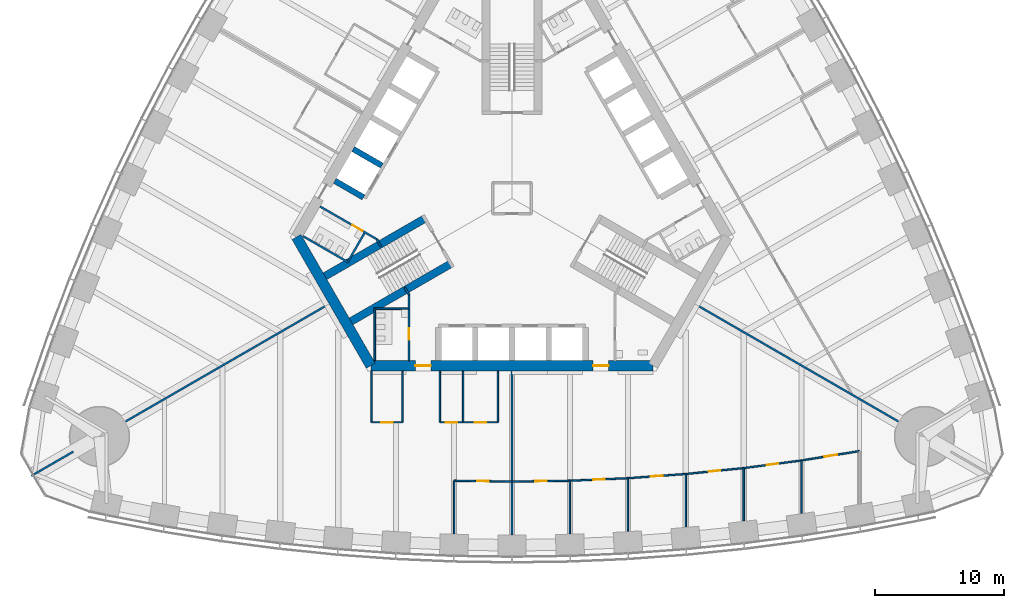
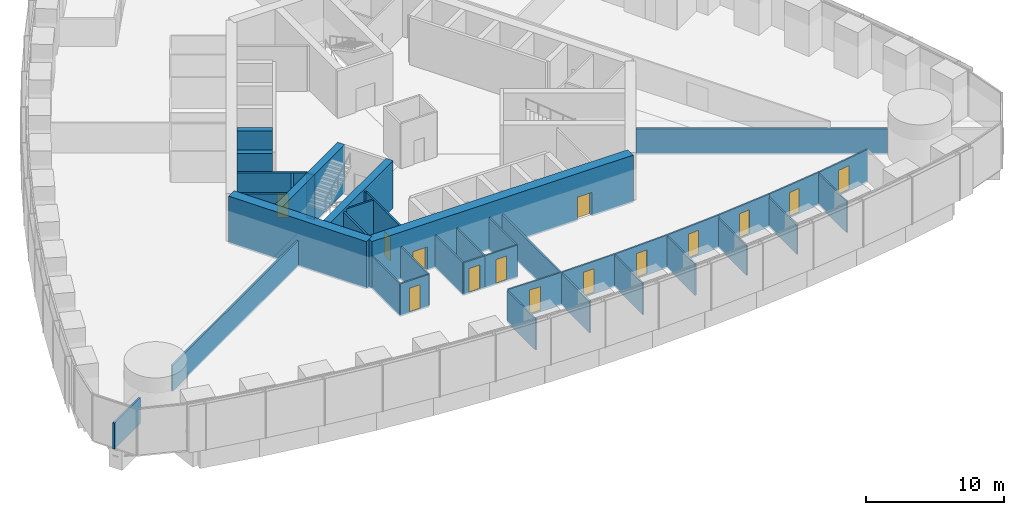
# One storey, part 10 of 18: 39 walls, 14 doors, 14 openings.
"""IFC4 building model written with IfcOpenShell, lengths in metres."""

from ifc_helpers import new_model, si_unit, direction, frame, frame_2d, origin, place, context, subcontext, project, spatial, rectangle, extrude, material, layer, layer_set, type_object, element, fill, save


model = new_model("IFC4")

# Units and contexts
model_context = context("Model", 3, precision=1e-05, world=origin(), true_north=direction((0.0, 1.0)))
body_context = subcontext(model_context, "Body", "Model", "MODEL_VIEW")
ifc_project = project(units=[si_unit("LENGTHUNIT", "METRE"), si_unit("AREAUNIT", "SQUARE_METRE"), si_unit("VOLUMEUNIT", "CUBIC_METRE"), si_unit("PLANEANGLEUNIT", "RADIAN"), si_unit("MASSUNIT", "GRAM", prefix="KILO")], contexts=[model_context])

# Site, building, storey
site_placement = place(None, origin())
site = spatial("IfcSite", under=ifc_project, at=site_placement, CompositionType="ELEMENT")
building_placement = place(site_placement, origin())
building = spatial("IfcBuilding", under=site, at=building_placement, Name="Trefoil Bronze Tower", CompositionType="ELEMENT")
storey_placement = place(building_placement, frame((0.0, 0.0, 66.89990234375)))
storey = spatial("IfcBuildingStorey", under=building, at=storey_placement, Name="L15", CompositionType="ELEMENT", Elevation=66.89990234375)

# Wall, openings, doors
ifc_material_1 = material(Name="Concrete B80", Category="concrete")
ifc_layer_1 = layer(ifc_material_1, 0.800048828125)
ifc_layer_set_1 = layer_set([ifc_layer_1], Name="Core wall 800")
wall_type_1 = type_object("IfcWallType", Name="Core wall 800", PredefinedType="SHEAR", material=ifc_layer_set_1)
wall_1_placement = place(storey_placement, frame((-10.9697265625, -13.0, 0.0), z_axis=(0.0, 0.0, 1.0), x_axis=(1.0, 0.0, 0.0)))
wall_1 = element("IfcWall", 1, at=wall_1_placement, inside=storey, type_object=wall_type_1, Name="Core long wall 1 L15", PredefinedType="SHEAR", context=body_context, shape_type="SweptSolid", body=[
    extrude(rectangle(XDim=21.939453125, YDim=0.800048828125, at=frame_2d((10.9697265625, 0.0))), origin(), (0.0, 0.0, 1.0), 4.2001953125),
])
opening_1_placement = place(wall_1_placement, frame((17.269775390625, 0.0, 0.0)))
opening_1 = element("IfcOpeningElement", 2, at=opening_1_placement, cuts=wall_1, Name="Opening D2", PredefinedType="OPENING", context=body_context, shape_type="SweptSolid", body=[
    extrude(rectangle(XDim=1.199951171875, YDim=2.10009765625, at=frame_2d((0.60009765625, 1.050048828125))), frame((0.0, 0.409912109375, 0.0), z_axis=(0.0, -1.0, 0.0), x_axis=(1.0, 0.0, 0.0)), (0.0, 0.0, 1.0), 0.820068359375),
])
opening_2_placement = place(wall_1_placement, frame((3.4697265625, 0.0, 0.0)))
opening_2 = element("IfcOpeningElement", 3, at=opening_2_placement, cuts=wall_1, Name="Opening D2", PredefinedType="OPENING", context=body_context, shape_type="SweptSolid", body=[
    extrude(rectangle(XDim=1.199951171875, YDim=2.10009765625, at=frame_2d((0.60009765625, 1.050048828125))), frame((0.0, 0.409912109375, 0.0), z_axis=(0.0, -1.0, 0.0), x_axis=(1.0, 0.0, 0.0)), (0.0, 0.0, 1.0), 0.820068359375),
])
ifc_material_2 = material(Name="Steel door", Category="steel")
door_type_1 = type_object("IfcDoorType", Name="Lobby door 1200", OperationType="SINGLE_SWING_RIGHT", PredefinedType="DOOR", material=ifc_material_2)
door_1_placement = place(opening_1_placement, origin())
door_1 = element("IfcDoor", 4, at=door_1_placement, inside=storey, type_object=door_type_1, Name="Lobby door F1+ L15", OperationType="SINGLE_SWING_RIGHT", OverallHeight=2.10009765625, OverallWidth=1.199951171875, PredefinedType="DOOR", context=body_context, shape_type="SweptSolid", body=[
    extrude(rectangle(XDim=1.199951171875, YDim=2.10009765625, at=frame_2d((0.60009765625, 1.050048828125))), frame((0.0, 0.02490234375, 0.0), z_axis=(0.0, -1.0, 0.0), x_axis=(1.0, 0.0, 0.0)), (0.0, 0.0, 1.0), 0.050048828125),
])
fill(opening_1, door_1)
door_2_placement = place(opening_2_placement, origin())
door_2 = element("IfcDoor", 5, at=door_2_placement, inside=storey, type_object=door_type_1, Name="Lobby door F1- L15", OperationType="SINGLE_SWING_LEFT", OverallHeight=2.10009765625, OverallWidth=1.199951171875, PredefinedType="DOOR", context=body_context, shape_type="SweptSolid", body=[
    extrude(rectangle(XDim=1.199951171875, YDim=2.10009765625, at=frame_2d((0.60009765625, 1.050048828125))), frame((0.0, 0.02490234375, 0.0), z_axis=(0.0, -1.0, 0.0), x_axis=(1.0, 0.0, 0.0)), (0.0, 0.0, 1.0), 0.050048828125),
])
fill(opening_2, door_2)

# Wall
wall_2_placement = place(storey_placement, frame((-16.7431640625, -3.0, 0.0), z_axis=(0.0, 0.0, 1.0), x_axis=(0.499995765644, -0.866027848477, 0.0)))
element("IfcWall", 6, at=wall_2_placement, inside=storey, type_object=wall_type_1, Name="Core short wall 3 L15", PredefinedType="SHEAR", context=body_context, shape_type="SweptSolid", body=[
    extrude(rectangle(XDim=11.546875, YDim=0.800048828125, at=frame_2d((5.7734375, 0.0))), origin(), (0.0, 0.0, 1.0), 4.2001953125),
])

# Wall, opening, door
ifc_material_3 = material(Name="Glazed partition", Category="glass")
ifc_layer_2 = layer(ifc_material_3, 0.1201171875)
ifc_layer_set_2 = layer_set([ifc_layer_2], Name="Glazed partition 120")
wall_type_2 = type_object("IfcWallType", Name="Glazed partition 120", PredefinedType="PARTITIONING", material=ifc_layer_set_2)
wall_3_placement = place(storey_placement, frame((-10.89990234375, -17.39990234375, 0.0), z_axis=(0.0, 0.0, 1.0), x_axis=(1.0, 0.0, 0.0)))
wall_3 = element("IfcWall", 7, at=wall_3_placement, inside=storey, type_object=wall_type_2, Name="Partition F1 L15", PredefinedType="PARTITIONING", context=body_context, shape_type="SweptSolid", body=[
    extrude(rectangle(XDim=2.39990234375, YDim=0.1201171875, at=frame_2d((1.199951171875, 0.0))), origin(), (0.0, 0.0, 1.0), 2.900146484375),
])
opening_3_placement = place(wall_3_placement, frame((0.75, 0.0, 0.14990234375)))
opening_3 = element("IfcOpeningElement", 8, at=opening_3_placement, cuts=wall_3, Name="Opening D8", PredefinedType="OPENING", context=body_context, shape_type="SweptSolid", body=[
    extrude(rectangle(XDim=0.89990234375, YDim=2.10009765625, at=frame_2d((0.449951171875, 1.050048828125))), frame((0.0, 0.070068359375, 0.0), z_axis=(0.0, -1.0, 0.0), x_axis=(1.0, 0.0, 0.0)), (0.0, 0.0, 1.0), 0.14013671875),
])
ifc_material_4 = material(Name="Timber door", Category="wood")
door_type_2 = type_object("IfcDoorType", Name="Office door 900", OperationType="SINGLE_SWING_LEFT", PredefinedType="DOOR", material=ifc_material_4)
door_3_placement = place(opening_3_placement, origin())
door_3 = element("IfcDoor", 9, at=door_3_placement, inside=storey, type_object=door_type_2, Name="Store door F1 L15", OperationType="SINGLE_SWING_LEFT", OverallHeight=2.10009765625, OverallWidth=0.89990234375, PredefinedType="DOOR", context=body_context, shape_type="SweptSolid", body=[
    extrude(rectangle(XDim=0.89990234375, YDim=2.10009765625, at=frame_2d((0.449951171875, 1.050048828125))), frame((0.0, 0.02490234375, 0.0), z_axis=(0.0, -1.0, 0.0), x_axis=(1.0, 0.0, 0.0)), (0.0, 0.0, 1.0), 0.050048828125),
])
fill(opening_3, door_3)

wall_4_placement = place(storey_placement, frame((-3.800048828125, -17.39990234375, 0.0), z_axis=(0.0, 0.0, 1.0), x_axis=(1.0, 0.0, 0.0)))
wall_4 = element("IfcWall", 10, at=wall_4_placement, inside=storey, type_object=wall_type_2, Name="Partition F1 L15", PredefinedType="PARTITIONING", context=body_context, shape_type="SweptSolid", body=[
    extrude(rectangle(XDim=2.699951171875, YDim=0.1201171875, at=frame_2d((1.35009765625, 0.0))), origin(), (0.0, 0.0, 1.0), 2.900146484375),
])
opening_4_placement = place(wall_4_placement, frame((0.89990234375, 0.0, 0.14990234375)))
opening_4 = element("IfcOpeningElement", 11, at=opening_4_placement, cuts=wall_4, Name="Opening D8", PredefinedType="OPENING", context=body_context, shape_type="SweptSolid", body=[
    extrude(rectangle(XDim=0.89990234375, YDim=2.10009765625, at=frame_2d((0.449951171875, 1.050048828125))), frame((0.0, 0.070068359375, 0.0), z_axis=(0.0, -1.0, 0.0), x_axis=(1.0, 0.0, 0.0)), (0.0, 0.0, 1.0), 0.14013671875),
])
door_4_placement = place(opening_4_placement, origin())
door_4 = element("IfcDoor", 12, at=door_4_placement, inside=storey, type_object=door_type_2, Name="Pantry door F1 L15", OperationType="SINGLE_SWING_RIGHT", OverallHeight=2.10009765625, OverallWidth=0.89990234375, PredefinedType="DOOR", context=body_context, shape_type="SweptSolid", body=[
    extrude(rectangle(XDim=0.89990234375, YDim=2.10009765625, at=frame_2d((0.449951171875, 1.050048828125))), frame((0.0, 0.02490234375, 0.0), z_axis=(0.0, -1.0, 0.0), x_axis=(1.0, 0.0, 0.0)), (0.0, 0.0, 1.0), 0.050048828125),
])
fill(opening_4, door_4)

wall_5_placement = place(storey_placement, frame((-5.60009765625, -17.39990234375, 0.0), z_axis=(0.0, 0.0, 1.0), x_axis=(1.0, 0.0, 0.0)))
wall_5 = element("IfcWall", 13, at=wall_5_placement, inside=storey, type_object=wall_type_2, Name="Partition F1 L15", PredefinedType="PARTITIONING", context=body_context, shape_type="SweptSolid", body=[
    extrude(rectangle(XDim=1.800048828125, YDim=0.1201171875, at=frame_2d((0.89990234375, 0.0))), origin(), (0.0, 0.0, 1.0), 2.900146484375),
])
opening_5_placement = place(wall_5_placement, frame((0.449951171875, 0.0, 0.14990234375)))
opening_5 = element("IfcOpeningElement", 14, at=opening_5_placement, cuts=wall_5, Name="Opening D8", PredefinedType="OPENING", context=body_context, shape_type="SweptSolid", body=[
    extrude(rectangle(XDim=0.89990234375, YDim=2.10009765625, at=frame_2d((0.449951171875, 1.050048828125))), frame((0.0, 0.070068359375, 0.0), z_axis=(0.0, -1.0, 0.0), x_axis=(1.0, 0.0, 0.0)), (0.0, 0.0, 1.0), 0.14013671875),
])
door_5_placement = place(opening_5_placement, origin())
door_5 = element("IfcDoor", 15, at=door_5_placement, inside=storey, type_object=door_type_2, Name="Focus room door F1 L15", OperationType="SINGLE_SWING_RIGHT", OverallHeight=2.10009765625, OverallWidth=0.89990234375, PredefinedType="DOOR", context=body_context, shape_type="SweptSolid", body=[
    extrude(rectangle(XDim=0.89990234375, YDim=2.10009765625, at=frame_2d((0.449951171875, 1.050048828125))), frame((0.0, 0.02490234375, 0.0), z_axis=(0.0, -1.0, 0.0), x_axis=(1.0, 0.0, 0.0)), (0.0, 0.0, 1.0), 0.050048828125),
])
fill(opening_5, door_5)

# Walls
for number, where, z_axis, x_axis, name in (
    (16, (-1.10009765625, -13.39990234375, 0.0), (0.0, 0.0, 1.0), (0.0, -1.0, 0.0), "Partition F1 L15"),
    (17, (-10.89990234375, -13.39990234375, 0.0), (0.0, 0.0, 1.0), (0.0, -1.0, 0.0), "Partition F1 L15"),
    (18, (-3.800048828125, -13.39990234375, 0.0), (0.0, 0.0, 1.0), (0.0, -1.0, 0.0), "Partition F1 L15"),
    (19, (-5.60009765625, -13.39990234375, 0.0), (0.0, 0.0, 1.0), (0.0, -1.0, 0.0), "Partition F1 L15"),
    (20, (-8.5, -13.39990234375, 0.0), (0.0, 0.0, 1.0), (0.0, -1.0, 0.0), "Partition F1 L15"),
):
    element("IfcWall", number, at=place(storey_placement, frame(where, z_axis=z_axis, x_axis=x_axis)), inside=storey, type_object=wall_type_2, Name=name, PredefinedType="PARTITIONING", context=body_context, shape_type="SweptSolid", body=[
        extrude(rectangle(XDim=4.0, YDim=0.1201171875, at=frame_2d((2.0, 0.0))), origin(), (0.0, 0.0, 1.0), 2.900146484375),
    ])

# Wall, opening, door
wall_6_placement = place(storey_placement, frame((0.0, -21.998779296875, 0.0), z_axis=(0.0, 0.0, 1.0), x_axis=(0.999894311967, 0.014538393859, 0.0)))
wall_6 = element("IfcWall", 21, at=wall_6_placement, inside=storey, type_object=wall_type_2, Name="Partition F1 L15", PredefinedType="PARTITIONING", context=body_context, shape_type="SweptSolid", body=[
    extrude(rectangle(XDim=4.50048828125, YDim=0.1201171875, at=frame_2d((2.250244140625, 0.0))), origin(), (0.0, 0.0, 1.0), 2.900146484375),
])
opening_6_placement = place(wall_6_placement, frame((1.800048828125, 0.0, 0.14990234375)))
opening_6 = element("IfcOpeningElement", 22, at=opening_6_placement, cuts=wall_6, Name="Opening D8", PredefinedType="OPENING", context=body_context, shape_type="SweptSolid", body=[
    extrude(rectangle(XDim=0.89990234375, YDim=2.10009765625, at=frame_2d((0.449951171875, 1.050048828125))), frame((0.0, 0.070068359375, 0.0), z_axis=(0.0, -1.0, 0.0), x_axis=(1.0, 0.0, 0.0)), (0.0, 0.0, 1.0), 0.14013671875),
])
door_6_placement = place(opening_6_placement, frame((0.89990234375, 0.0, 0.0), z_axis=(0.0, 0.0, 1.0), x_axis=(-1.0, 0.0, 0.0)))
door_6 = element("IfcDoor", 23, at=door_6_placement, inside=storey, type_object=door_type_2, Name="Office door F1 L15", OperationType="SINGLE_SWING_RIGHT", OverallHeight=2.10009765625, OverallWidth=0.89990234375, PredefinedType="DOOR", context=body_context, shape_type="SweptSolid", body=[
    extrude(rectangle(XDim=0.89990234375, YDim=2.10009765625, at=frame_2d((0.449951171875, 1.050048828125))), frame((0.0, 0.02490234375, 0.0), z_axis=(0.0, -1.0, 0.0), x_axis=(1.0, 0.0, 0.0)), (0.0, 0.0, 1.0), 0.050048828125),
])
fill(opening_6, door_6)

wall_7_placement = place(storey_placement, frame((13.5, -21.409912109375, 0.0), z_axis=(0.0, 0.0, 1.0), x_axis=(0.994833141332, 0.101523499286, 0.0)))
wall_7 = element("IfcWall", 24, at=wall_7_placement, inside=storey, type_object=wall_type_2, Name="Partition F1 L15", PredefinedType="PARTITIONING", context=body_context, shape_type="SweptSolid", body=[
    extrude(rectangle(XDim=4.5234375, YDim=0.1201171875, at=frame_2d((2.26171875, 0.0))), origin(), (0.0, 0.0, 1.0), 2.900146484375),
])
opening_7_placement = place(wall_7_placement, frame((1.800048828125, 0.0, 0.14990234375)))
opening_7 = element("IfcOpeningElement", 25, at=opening_7_placement, cuts=wall_7, Name="Opening D8", PredefinedType="OPENING", context=body_context, shape_type="SweptSolid", body=[
    extrude(rectangle(XDim=0.89990234375, YDim=2.10009765625, at=frame_2d((0.449951171875, 1.050048828125))), frame((0.0, 0.070068359375, 0.0), z_axis=(0.0, -1.0, 0.0), x_axis=(1.0, 0.0, 0.0)), (0.0, 0.0, 1.0), 0.14013671875),
])
door_7_placement = place(opening_7_placement, frame((0.89990234375, 0.0, 0.0), z_axis=(0.0, 0.0, 1.0), x_axis=(-1.0, 0.0, 0.0)))
door_7 = element("IfcDoor", 26, at=door_7_placement, inside=storey, type_object=door_type_2, Name="Office door F1 L15", OperationType="SINGLE_SWING_RIGHT", OverallHeight=2.10009765625, OverallWidth=0.89990234375, PredefinedType="DOOR", context=body_context, shape_type="SweptSolid", body=[
    extrude(rectangle(XDim=0.89990234375, YDim=2.10009765625, at=frame_2d((0.449951171875, 1.050048828125))), frame((0.0, 0.02490234375, 0.0), z_axis=(0.0, -1.0, 0.0), x_axis=(1.0, 0.0, 0.0)), (0.0, 0.0, 1.0), 0.050048828125),
])
fill(opening_7, door_7)

wall_8_placement = place(storey_placement, frame((18.0, -20.95068359375, 0.0), z_axis=(0.0, 0.0, 1.0), x_axis=(0.991435244698, 0.130599217346, 0.0)))
wall_8 = element("IfcWall", 27, at=wall_8_placement, inside=storey, type_object=wall_type_2, Name="Partition F1 L15", PredefinedType="PARTITIONING", context=body_context, shape_type="SweptSolid", body=[
    extrude(rectangle(XDim=4.538818359375, YDim=0.1201171875, at=frame_2d((2.26953125, 0.0))), origin(), (0.0, 0.0, 1.0), 2.900146484375),
])
opening_8_placement = place(wall_8_placement, frame((1.800048828125, 0.0, 0.14990234375)))
opening_8 = element("IfcOpeningElement", 28, at=opening_8_placement, cuts=wall_8, Name="Opening D8", PredefinedType="OPENING", context=body_context, shape_type="SweptSolid", body=[
    extrude(rectangle(XDim=0.89990234375, YDim=2.10009765625, at=frame_2d((0.449951171875, 1.050048828125))), frame((0.0, 0.070068359375, 0.0), z_axis=(0.0, -1.0, 0.0), x_axis=(1.0, 0.0, 0.0)), (0.0, 0.0, 1.0), 0.14013671875),
])
door_8_placement = place(opening_8_placement, frame((0.89990234375, 0.0, 0.0), z_axis=(0.0, 0.0, 1.0), x_axis=(-1.0, 0.0, 0.0)))
door_8 = element("IfcDoor", 29, at=door_8_placement, inside=storey, type_object=door_type_2, Name="Office door F1 L15", OperationType="SINGLE_SWING_RIGHT", OverallHeight=2.10009765625, OverallWidth=0.89990234375, PredefinedType="DOOR", context=body_context, shape_type="SweptSolid", body=[
    extrude(rectangle(XDim=0.89990234375, YDim=2.10009765625, at=frame_2d((0.449951171875, 1.050048828125))), frame((0.0, 0.02490234375, 0.0), z_axis=(0.0, -1.0, 0.0), x_axis=(1.0, 0.0, 0.0)), (0.0, 0.0, 1.0), 0.050048828125),
])
fill(opening_8, door_8)

wall_9_placement = place(storey_placement, frame((22.5, -20.35791015625, 0.0), z_axis=(0.0, 0.0, 1.0), x_axis=(0.987181300889, 0.159602879593, 0.0)))
wall_9 = element("IfcWall", 30, at=wall_9_placement, inside=storey, type_object=wall_type_2, Name="Partition F1 L15", PredefinedType="PARTITIONING", context=body_context, shape_type="SweptSolid", body=[
    extrude(rectangle(XDim=4.558349609375, YDim=0.1201171875, at=frame_2d((2.279296875, 0.0))), origin(), (0.0, 0.0, 1.0), 2.900146484375),
])
opening_9_placement = place(wall_9_placement, frame((1.800048828125, 0.0, 0.14990234375)))
opening_9 = element("IfcOpeningElement", 31, at=opening_9_placement, cuts=wall_9, Name="Opening D9", PredefinedType="OPENING", context=body_context, shape_type="SweptSolid", body=[
    extrude(rectangle(XDim=1.0, YDim=2.10009765625, at=frame_2d((0.5, 1.050048828125))), frame((0.0, 0.070068359375, 0.0), z_axis=(0.0, -1.0, 0.0), x_axis=(1.0, 0.0, 0.0)), (0.0, 0.0, 1.0), 0.14013671875),
])
ifc_material_5 = material(Name="Glazed timber door", Category="wood")
door_type_3 = type_object("IfcDoorType", Name="Meeting room door 1000", OperationType="SINGLE_SWING_LEFT", PredefinedType="DOOR", material=ifc_material_5)
door_9_placement = place(opening_9_placement, frame((1.0, 0.0, 0.0), z_axis=(0.0, 0.0, 1.0), x_axis=(-1.0, 0.0, 0.0)))
door_9 = element("IfcDoor", 32, at=door_9_placement, inside=storey, type_object=door_type_3, Name="Meeting room door F1 L15", OperationType="SINGLE_SWING_LEFT", OverallHeight=2.10009765625, OverallWidth=1.0, PredefinedType="DOOR", context=body_context, shape_type="SweptSolid", body=[
    extrude(rectangle(XDim=1.0, YDim=2.10009765625, at=frame_2d((0.5, 1.050048828125))), frame((0.0, 0.02490234375, 0.0), z_axis=(0.0, -1.0, 0.0), x_axis=(1.0, 0.0, 0.0)), (0.0, 0.0, 1.0), 0.050048828125),
])
fill(opening_9, door_9)

wall_10_placement = place(storey_placement, frame((4.5, -21.933349609375, 0.0), z_axis=(0.0, 0.0, 1.0), x_axis=(0.999052370647, 0.043524254212, 0.0)))
wall_10 = element("IfcWall", 33, at=wall_10_placement, inside=storey, type_object=wall_type_2, Name="Partition F1 L15", PredefinedType="PARTITIONING", context=body_context, shape_type="SweptSolid", body=[
    extrude(rectangle(XDim=4.504150390625, YDim=0.1201171875, at=frame_2d((2.251953125, 0.0))), origin(), (0.0, 0.0, 1.0), 2.900146484375),
])
opening_10_placement = place(wall_10_placement, frame((1.800048828125, 0.0, 0.14990234375)))
opening_10 = element("IfcOpeningElement", 34, at=opening_10_placement, cuts=wall_10, Name="Opening D8", PredefinedType="OPENING", context=body_context, shape_type="SweptSolid", body=[
    extrude(rectangle(XDim=0.89990234375, YDim=2.10009765625, at=frame_2d((0.449951171875, 1.050048828125))), frame((0.0, 0.070068359375, 0.0), z_axis=(0.0, -1.0, 0.0), x_axis=(1.0, 0.0, 0.0)), (0.0, 0.0, 1.0), 0.14013671875),
])
door_10_placement = place(opening_10_placement, frame((0.89990234375, 0.0, 0.0), z_axis=(0.0, 0.0, 1.0), x_axis=(-1.0, 0.0, 0.0)))
door_10 = element("IfcDoor", 35, at=door_10_placement, inside=storey, type_object=door_type_2, Name="Office door F1 L15", OperationType="SINGLE_SWING_RIGHT", OverallHeight=2.10009765625, OverallWidth=0.89990234375, PredefinedType="DOOR", context=body_context, shape_type="SweptSolid", body=[
    extrude(rectangle(XDim=0.89990234375, YDim=2.10009765625, at=frame_2d((0.449951171875, 1.050048828125))), frame((0.0, 0.02490234375, 0.0), z_axis=(0.0, -1.0, 0.0), x_axis=(1.0, 0.0, 0.0)), (0.0, 0.0, 1.0), 0.050048828125),
])
fill(opening_10, door_10)

wall_11_placement = place(storey_placement, frame((9.0, -21.7373046875, 0.0), z_axis=(0.0, 0.0, 1.0), x_axis=(0.997363894896, 0.072562119306, 0.0)))
wall_11 = element("IfcWall", 36, at=wall_11_placement, inside=storey, type_object=wall_type_2, Name="Partition F1 L15", PredefinedType="PARTITIONING", context=body_context, shape_type="SweptSolid", body=[
    extrude(rectangle(XDim=4.511962890625, YDim=0.1201171875, at=frame_2d((2.255859375, 0.0))), origin(), (0.0, 0.0, 1.0), 2.900146484375),
])
opening_11_placement = place(wall_11_placement, frame((1.800048828125, 0.0, 0.14990234375)))
opening_11 = element("IfcOpeningElement", 37, at=opening_11_placement, cuts=wall_11, Name="Opening D8", PredefinedType="OPENING", context=body_context, shape_type="SweptSolid", body=[
    extrude(rectangle(XDim=0.89990234375, YDim=2.10009765625, at=frame_2d((0.449951171875, 1.050048828125))), frame((0.0, 0.070068359375, 0.0), z_axis=(0.0, -1.0, 0.0), x_axis=(1.0, 0.0, 0.0)), (0.0, 0.0, 1.0), 0.14013671875),
])
door_11_placement = place(opening_11_placement, frame((0.89990234375, 0.0, 0.0), z_axis=(0.0, 0.0, 1.0), x_axis=(-1.0, 0.0, 0.0)))
door_11 = element("IfcDoor", 38, at=door_11_placement, inside=storey, type_object=door_type_2, Name="Office door F1 L15", OperationType="SINGLE_SWING_RIGHT", OverallHeight=2.10009765625, OverallWidth=0.89990234375, PredefinedType="DOOR", context=body_context, shape_type="SweptSolid", body=[
    extrude(rectangle(XDim=0.89990234375, YDim=2.10009765625, at=frame_2d((0.449951171875, 1.050048828125))), frame((0.0, 0.02490234375, 0.0), z_axis=(0.0, -1.0, 0.0), x_axis=(1.0, 0.0, 0.0)), (0.0, 0.0, 1.0), 0.050048828125),
])
fill(opening_11, door_11)

wall_12_placement = place(storey_placement, frame((-4.5, -21.933349609375, 0.0), z_axis=(0.0, 0.0, 1.0), x_axis=(0.999894311967, -0.014538393859, 0.0)))
wall_12 = element("IfcWall", 39, at=wall_12_placement, inside=storey, type_object=wall_type_2, Name="Partition F1 L15", PredefinedType="PARTITIONING", context=body_context, shape_type="SweptSolid", body=[
    extrude(rectangle(XDim=4.50048828125, YDim=0.1201171875, at=frame_2d((2.250244140625, 0.0))), origin(), (0.0, 0.0, 1.0), 2.900146484375),
])
opening_12_placement = place(wall_12_placement, frame((1.800048828125, 0.0, 0.14990234375)))
opening_12 = element("IfcOpeningElement", 40, at=opening_12_placement, cuts=wall_12, Name="Opening D8", PredefinedType="OPENING", context=body_context, shape_type="SweptSolid", body=[
    extrude(rectangle(XDim=0.89990234375, YDim=2.10009765625, at=frame_2d((0.449951171875, 1.050048828125))), frame((0.0, 0.070068359375, 0.0), z_axis=(0.0, -1.0, 0.0), x_axis=(1.0, 0.0, 0.0)), (0.0, 0.0, 1.0), 0.14013671875),
])
door_12_placement = place(opening_12_placement, frame((0.89990234375, 0.0, 0.0), z_axis=(0.0, 0.0, 1.0), x_axis=(-1.0, 0.0, 0.0)))
door_12 = element("IfcDoor", 41, at=door_12_placement, inside=storey, type_object=door_type_2, Name="Office door F1 L15", OperationType="SINGLE_SWING_RIGHT", OverallHeight=2.10009765625, OverallWidth=0.89990234375, PredefinedType="DOOR", context=body_context, shape_type="SweptSolid", body=[
    extrude(rectangle(XDim=0.89990234375, YDim=2.10009765625, at=frame_2d((0.449951171875, 1.050048828125))), frame((0.0, 0.02490234375, 0.0), z_axis=(0.0, -1.0, 0.0), x_axis=(1.0, 0.0, 0.0)), (0.0, 0.0, 1.0), 0.050048828125),
])
fill(opening_12, door_12)

# Walls
wall_13_placement = place(storey_placement, frame((13.5, -21.409912109375, 0.0), z_axis=(0.0, 0.0, 1.0), x_axis=(0.0, -1.0, 0.0)))
element("IfcWall", 42, at=wall_13_placement, inside=storey, type_object=wall_type_2, Name="Partition F1 L15", PredefinedType="PARTITIONING", context=body_context, shape_type="SweptSolid", body=[
    extrude(rectangle(XDim=4.114013671875, YDim=0.1201171875, at=frame_2d((2.05712890625, 0.0))), origin(), (0.0, 0.0, 1.0), 2.60009765625),
])
wall_14_placement = place(storey_placement, frame((18.0, -20.95068359375, 0.0), z_axis=(0.0, 0.0, 1.0), x_axis=(0.0, -1.0, 0.0)))
element("IfcWall", 43, at=wall_14_placement, inside=storey, type_object=wall_type_2, Name="Partition F1 L15", PredefinedType="PARTITIONING", context=body_context, shape_type="SweptSolid", body=[
    extrude(rectangle(XDim=4.10888671875, YDim=0.1201171875, at=frame_2d((2.054443359375, 0.0))), origin(), (0.0, 0.0, 1.0), 2.60009765625),
])
wall_15_placement = place(storey_placement, frame((22.5, -20.35791015625, 0.0), z_axis=(0.0, 0.0, 1.0), x_axis=(0.0, -1.0, 0.0)))
element("IfcWall", 44, at=wall_15_placement, inside=storey, type_object=wall_type_2, Name="Partition F1 L15", PredefinedType="PARTITIONING", context=body_context, shape_type="SweptSolid", body=[
    extrude(rectangle(XDim=4.102783203125, YDim=0.1201171875, at=frame_2d((2.05126953125, 0.0))), origin(), (0.0, 0.0, 1.0), 2.800048828125),
])
wall_16_placement = place(storey_placement, frame((4.5, -21.933349609375, 0.0), z_axis=(0.0, 0.0, 1.0), x_axis=(0.0, -1.0, 0.0)))
element("IfcWall", 45, at=wall_16_placement, inside=storey, type_object=wall_type_2, Name="Partition F1 L15", PredefinedType="PARTITIONING", context=body_context, shape_type="SweptSolid", body=[
    extrude(rectangle(XDim=4.119384765625, YDim=0.1201171875, at=frame_2d((2.0595703125, 0.0))), origin(), (0.0, 0.0, 1.0), 2.800048828125),
])
wall_17_placement = place(storey_placement, frame((9.0, -21.7373046875, 0.0), z_axis=(0.0, 0.0, 1.0), x_axis=(0.0, -1.0, 0.0)))
element("IfcWall", 46, at=wall_17_placement, inside=storey, type_object=wall_type_2, Name="Partition F1 L15", PredefinedType="PARTITIONING", context=body_context, shape_type="SweptSolid", body=[
    extrude(rectangle(XDim=4.117431640625, YDim=0.1201171875, at=frame_2d((2.05859375, 0.0))), origin(), (0.0, 0.0, 1.0), 2.800048828125),
])
wall_18_placement = place(storey_placement, frame((-4.5, -21.933349609375, 0.0), z_axis=(0.0, 0.0, 1.0), x_axis=(0.0, -1.0, 0.0)))
element("IfcWall", 47, at=wall_18_placement, inside=storey, type_object=wall_type_2, Name="Partition F1 L15", PredefinedType="PARTITIONING", context=body_context, shape_type="SweptSolid", body=[
    extrude(rectangle(XDim=4.119384765625, YDim=0.1201171875, at=frame_2d((2.0595703125, 0.0))), origin(), (0.0, 0.0, 1.0), 2.800048828125),
])
ifc_material_6 = material(Name="Concrete B80", Category="concrete")
ifc_layer_3 = layer(ifc_material_6, 0.449951171875)
ifc_layer_set_3 = layer_set([ifc_layer_3], Name="Outrigger shaft wall 450")
wall_type_3 = type_object("IfcWallType", Name="Outrigger shaft wall 450", PredefinedType="SHEAR", material=ifc_layer_set_3)
for number, where, z_axis, x_axis, name in (
    (48, (-10.10693359375, 2.54443359375, 0.0), (0.0, 0.0, 1.0), (-0.866046643894, 0.499963209246, 0.0), "Lift shaft side wall C3 L15"),
    (49, (-11.531982421875, 0.076171875, 0.0), (0.0, 0.0, 1.0), (-0.866005588531, 0.500034319456, 0.0), "Lift shaft side wall C4 L15"),
):
    element("IfcWall", number, at=place(storey_placement, frame(where, z_axis=z_axis, x_axis=x_axis)), inside=storey, type_object=wall_type_3, Name=name, PredefinedType="SHEAR", context=body_context, shape_type="SweptSolid", body=[
        extrude(rectangle(XDim=2.574951171875, YDim=0.449951171875, at=frame_2d((1.28759765625, 0.0))), origin(), (0.0, 0.0, 1.0), 4.2001953125),
    ])

# Wall, opening, door
ifc_material_7 = material(Name="Gypsum board on steel studs", Category="steel")
ifc_layer_4 = layer(ifc_material_7, 0.14990234375)
ifc_layer_set_4 = layer_set([ifc_layer_4], Name="Partition 150")
wall_type_4 = type_object("IfcWallType", Name="Partition 150", PredefinedType="PARTITIONING", material=ifc_layer_set_4)
wall_19_placement = place(storey_placement, frame((-8.0, -7.5, 0.0), z_axis=(0.0, 0.0, 1.0), x_axis=(0.0, -1.0, 0.0)))
wall_19 = element("IfcWall", 50, at=wall_19_placement, inside=storey, type_object=wall_type_4, Name="Passage wall F1- L15", PredefinedType="PARTITIONING", context=body_context, shape_type="SweptSolid", body=[
    extrude(rectangle(XDim=5.10009765625, YDim=0.14990234375, at=frame_2d((2.550048828125, 0.0))), origin(), (0.0, 0.0, 1.0), 4.0),
])
opening_13_placement = place(wall_19_placement, frame((2.60009765625, 0.0, 0.0)))
opening_13 = element("IfcOpeningElement", 51, at=opening_13_placement, cuts=wall_19, Name="Opening D3", PredefinedType="OPENING", context=body_context, shape_type="SweptSolid", body=[
    extrude(rectangle(XDim=0.89990234375, YDim=2.10009765625, at=frame_2d((0.449951171875, 1.050048828125))), frame((0.0, 0.0849609375, 0.0), z_axis=(0.0, -1.0, 0.0), x_axis=(1.0, 0.0, 0.0)), (0.0, 0.0, 1.0), 0.169921875),
])
ifc_material_8 = material(Name="Timber door", Category="wood")
door_type_4 = type_object("IfcDoorType", Name="WC door 900", OperationType="SINGLE_SWING_LEFT", PredefinedType="DOOR", material=ifc_material_8)
door_13_placement = place(opening_13_placement, frame((0.89990234375, 0.0, 0.0), z_axis=(0.0, 0.0, 1.0), x_axis=(-1.0, 0.0, 0.0)))
door_13 = element("IfcDoor", 52, at=door_13_placement, inside=storey, type_object=door_type_4, Name="WC (women) door L15", OperationType="SINGLE_SWING_RIGHT", OverallHeight=2.10009765625, OverallWidth=0.89990234375, PredefinedType="DOOR", context=body_context, shape_type="SweptSolid", body=[
    extrude(rectangle(XDim=0.89990234375, YDim=2.10009765625, at=frame_2d((0.449951171875, 1.050048828125))), frame((0.0, 0.02490234375, 0.0), z_axis=(0.0, -1.0, 0.0), x_axis=(1.0, 0.0, 0.0)), (0.0, 0.0, 1.0), 0.050048828125),
])
fill(opening_13, door_13)

wall_20_placement = place(storey_placement, frame((-10.4951171875, -3.17822265625, 0.0), z_axis=(0.0, 0.0, 1.0), x_axis=(-0.86602216432, 0.500005610874, 0.0)))
wall_20 = element("IfcWall", 53, at=wall_20_placement, inside=storey, type_object=wall_type_4, Name="Passage wall F3+ L15", PredefinedType="PARTITIONING", context=body_context, shape_type="SweptSolid", body=[
    extrude(rectangle(XDim=5.10009765625, YDim=0.14990234375, at=frame_2d((2.550048828125, 0.0))), origin(), (0.0, 0.0, 1.0), 4.0),
])
opening_14_placement = place(wall_20_placement, frame((1.300048828125, 0.0, 0.0)))
opening_14 = element("IfcOpeningElement", 54, at=opening_14_placement, cuts=wall_20, Name="Opening D3", PredefinedType="OPENING", context=body_context, shape_type="SweptSolid", body=[
    extrude(rectangle(XDim=0.89990234375, YDim=2.10009765625, at=frame_2d((0.449951171875, 1.050048828125))), frame((0.0, 0.0849609375, 0.0), z_axis=(0.0, -1.0, 0.0), x_axis=(1.0, 0.0, 0.0)), (0.0, 0.0, 1.0), 0.169921875),
])
door_14_placement = place(opening_14_placement, origin())
door_14 = element("IfcDoor", 55, at=door_14_placement, inside=storey, type_object=door_type_4, Name="WC (men) door L15", OperationType="SINGLE_SWING_LEFT", OverallHeight=2.10009765625, OverallWidth=0.89990234375, PredefinedType="DOOR", context=body_context, shape_type="SweptSolid", body=[
    extrude(rectangle(XDim=0.89990234375, YDim=2.10009765625, at=frame_2d((0.449951171875, 1.050048828125))), frame((0.0, 0.02490234375, 0.0), z_axis=(0.0, -1.0, 0.0), x_axis=(1.0, 0.0, 0.0)), (0.0, 0.0, 1.0), 0.050048828125),
])
fill(opening_14, door_14)

# Walls
for number, where, z_axis, x_axis, name in (
    (56, (-10.4951171875, -3.17822265625, 0.0), (0.0, 0.0, 1.0), (0.499842556608, -0.866116284689, 0.0), "WC wall ST3-1 L15"),
    (57, (-8.0, -7.5, 0.0), (0.0, 0.0, 1.0), (-0.499842556608, 0.866116284689, 0.0), "WC wall ST3+1 L15"),
):
    element("IfcWall", number, at=place(storey_placement, frame(where, z_axis=z_axis, x_axis=x_axis)), inside=storey, type_object=wall_type_4, Name=name, PredefinedType="PARTITIONING", context=body_context, shape_type="SweptSolid", body=[
        extrude(rectangle(XDim=0.645263671875, YDim=0.14990234375, at=frame_2d((0.32275390625, 0.0))), origin(), (0.0, 0.0, 1.0), 4.0),
    ])
wall_21_placement = place(storey_placement, frame((-12.691162109375, -4.98193359375, 0.0), z_axis=(0.0, 0.0, 1.0), x_axis=(-0.8660249478, 0.500000789788, 0.0)))
element("IfcWall", 58, at=wall_21_placement, inside=storey, type_object=wall_type_4, Name="WC partition WC (men) L15", PredefinedType="PARTITIONING", context=body_context, shape_type="SweptSolid", body=[
    extrude(rectangle(XDim=4.10009765625, YDim=0.14990234375, at=frame_2d((2.050048828125, 0.0))), origin(), (0.0, 0.0, 1.0), 4.0),
])
wall_22_placement = place(storey_placement, frame((-11.463623046875, -2.70556640625, 0.0), z_axis=(0.0, 0.0, 1.0), x_axis=(-0.50001992892, -0.866013897511, 0.0)))
element("IfcWall", 59, at=wall_22_placement, inside=storey, type_object=wall_type_4, Name="WC partition WC (men) L15", PredefinedType="PARTITIONING", context=body_context, shape_type="SweptSolid", body=[
    extrude(rectangle(XDim=2.51025390625, YDim=0.14990234375, at=frame_2d((1.255126953125, 0.0))), origin(), (0.0, 0.0, 1.0), 4.0),
])
wall_23_placement = place(storey_placement, frame((-10.659912109375, -8.5, 0.0), z_axis=(0.0, 0.0, 1.0), x_axis=(0.0, -1.0, 0.0)))
element("IfcWall", 60, at=wall_23_placement, inside=storey, type_object=wall_type_4, Name="WC partition WC (women) L15", PredefinedType="PARTITIONING", context=body_context, shape_type="SweptSolid", body=[
    extrude(rectangle(XDim=4.10009765625, YDim=0.14990234375, at=frame_2d((2.050048828125, 0.0))), origin(), (0.0, 0.0, 1.0), 4.0),
])
wall_24_placement = place(storey_placement, frame((-8.074951171875, -8.574951171875, 0.0), z_axis=(0.0, 0.0, 1.0), x_axis=(-1.0, 0.0, 0.0)))
element("IfcWall", 61, at=wall_24_placement, inside=storey, type_object=wall_type_4, Name="WC partition WC (women) L15", PredefinedType="PARTITIONING", context=body_context, shape_type="SweptSolid", body=[
    extrude(rectangle(XDim=2.510009765625, YDim=0.14990234375, at=frame_2d((1.2548828125, 0.0))), origin(), (0.0, 0.0, 1.0), 4.0),
])
ifc_material_9 = material(Name="Gypsum board on steel studs", Category="steel")
ifc_layer_5 = layer(ifc_material_9, 0.14990234375)
ifc_layer_set_5 = layer_set([ifc_layer_5], Name="Party wall 150")
wall_type_5 = type_object("IfcWallType", Name="Party wall 150", PredefinedType="PARTITIONING", material=ifc_layer_set_5)
for number, where, z_axis, x_axis, name in (
    (62, (14.202880859375, -8.199951171875, 0.0), (0.0, 0.0, 1.0), (0.866024965723, -0.500000758745, 0.0), "Party wall K1 L15"),
    (63, (-14.202880859375, -8.199951171875, 0.0), (0.0, 0.0, 1.0), (-0.866024965723, -0.500000758745, 0.0), "Party wall K3 L15"),
):
    element("IfcWall", number, at=place(storey_placement, frame(where, z_axis=z_axis, x_axis=x_axis)), inside=storey, type_object=wall_type_5, Name=name, PredefinedType="PARTITIONING", context=body_context, shape_type="SweptSolid", body=[
        extrude(rectangle(XDim=18.25, YDim=0.14990234375, at=frame_2d((9.125, 0.0))), origin(), (0.0, 0.0, 1.0), 2.300048828125),
    ])
wall_25_placement = place(storey_placement, frame((-34.078125, -19.675048828125, 0.0), z_axis=(0.0, 0.0, 1.0), x_axis=(-0.866019247219, -0.500010663332, 0.0)))
element("IfcWall", 64, at=wall_25_placement, inside=storey, type_object=wall_type_5, Name="Party wall K3 L15", PredefinedType="PARTITIONING", context=body_context, shape_type="SweptSolid", body=[
    extrude(rectangle(XDim=3.76416015625, YDim=0.14990234375, at=frame_2d((1.882080078125, 0.0))), origin(), (0.0, 0.0, 1.0), 2.300048828125),
])
wall_26_placement = place(storey_placement, frame((0.0, -13.409912109375, 0.0), z_axis=(0.0, 0.0, 1.0), x_axis=(0.0, -1.0, 0.0)))
element("IfcWall", 65, at=wall_26_placement, inside=storey, type_object=wall_type_5, Name="Demising wall F1 L15", PredefinedType="PARTITIONING", context=body_context, shape_type="SweptSolid", body=[
    extrude(rectangle(XDim=12.708740234375, YDim=0.14990234375, at=frame_2d((6.3544921875, 0.0))), origin(), (0.0, 0.0, 1.0), 2.800048828125),
])
ifc_material_10 = material(Name="Concrete B80", Category="concrete")
ifc_layer_6 = layer(ifc_material_10, 0.60009765625)
ifc_layer_set_6 = layer_set([ifc_layer_6], Name="Stair wall 600")
wall_type_6 = type_object("IfcWallType", Name="Stair wall 600", PredefinedType="SHEAR", material=ifc_layer_set_6)
for number, where, z_axis, x_axis, name in (
    (66, (-6.663330078125, -1.5087890625, 0.0), (0.0, 0.0, 1.0), (-0.866019375473, -0.500010441196, 0.0), "Stair wall ST3 L15"),
    (67, (-4.638427734375, -5.01611328125, 0.0), (0.0, 0.0, 1.0), (-0.866019375473, -0.500010441196, 0.0), "Stair wall ST3 L15"),
):
    element("IfcWall", number, at=place(storey_placement, frame(where, z_axis=z_axis, x_axis=x_axis)), inside=storey, type_object=wall_type_6, Name=name, PredefinedType="SHEAR", context=body_context, shape_type="SweptSolid", body=[
        extrude(rectangle(XDim=9.074951171875, YDim=0.60009765625, at=frame_2d((4.53759765625, 0.0))), origin(), (0.0, 0.0, 1.0), 4.2001953125),
    ])

save(model, "model.ifc")
